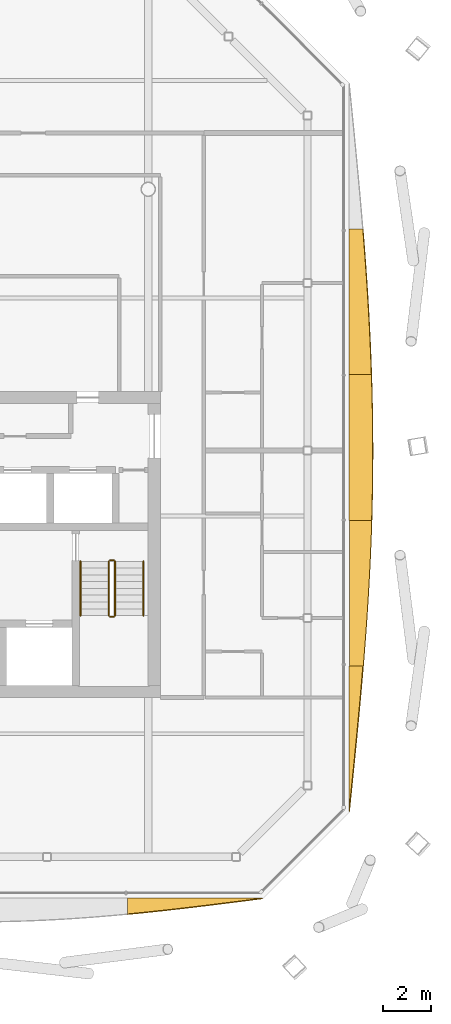
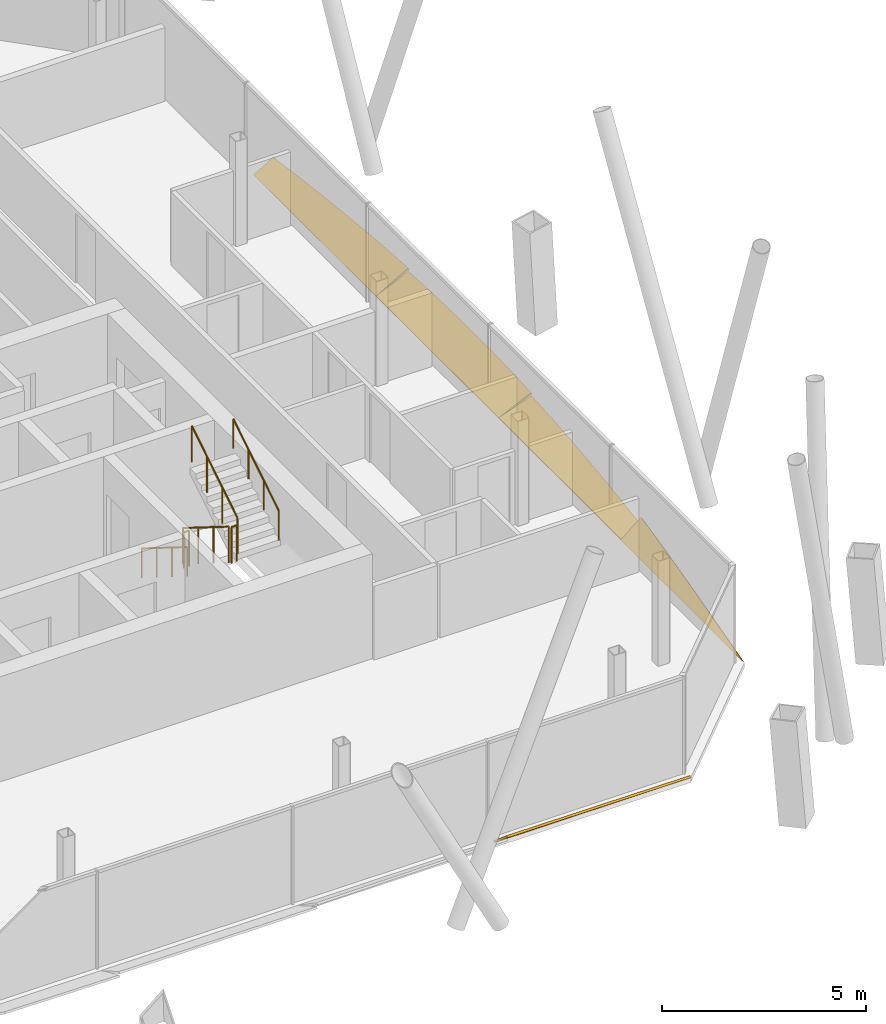
# One storey, part 18 of 19: 6 railings, 5 shading devices.
"""IFC4 building model written with IfcOpenShell, lengths in metres."""

from ifc_helpers import new_model, si_unit, direction, frame, origin, origin_2d, place, context, subcontext, project, spatial, polyline, circle, outline, extrude, material, layer, layer_set, type_object, element, save


model = new_model("IFC4")

# Units and contexts
model_context = context("Model", 3, precision=1e-05, world=origin(), true_north=direction((0.0, 1.0)))
body_context = subcontext(model_context, "Body", "Model", "MODEL_VIEW")
ifc_project = project(units=[si_unit("LENGTHUNIT", "METRE"), si_unit("AREAUNIT", "SQUARE_METRE"), si_unit("VOLUMEUNIT", "CUBIC_METRE"), si_unit("PLANEANGLEUNIT", "RADIAN"), si_unit("MASSUNIT", "GRAM", prefix="KILO")], contexts=[model_context])

# Site, building, storey
site_placement = place(None, origin())
site = spatial("IfcSite", under=ifc_project, at=site_placement, CompositionType="ELEMENT")
building_placement = place(site_placement, origin())
building = spatial("IfcBuilding", under=site, at=building_placement, Name="Tskaro Facet Tower", CompositionType="ELEMENT")
storey_placement = place(building_placement, frame((0.0, 0.0, 191.10009765625)))
storey = spatial("IfcBuildingStorey", under=building, at=storey_placement, Name="L48", CompositionType="ELEMENT", Elevation=191.10009765625)

# Shading devices
ifc_material_1 = material(Name="Bronze anodised aluminium 6063-T6", Category="aluminium")
ifc_layer = layer(ifc_material_1, 0.06005859375, Name="Bronze anodised aluminium 6063-T6")
ifc_layer_set = layer_set([ifc_layer], Name="Bronze anodised aluminium 6063-T6")
shading_device_type = type_object("IfcShadingDeviceType", Name="Bronze sun blade (FN1)", PredefinedType="USERDEFINED", material=ifc_layer_set)
shading_device_1_placement = place(storey_placement, frame((8.14794921875, -20.29150390625, 0.0458984375), z_axis=(-2.1428316e-05, 0.642835270174, 0.766004448395), x_axis=(0.99999999977, 1.3774877e-05, 1.6414185e-05)))
element("IfcShadingDevice", 1, at=shading_device_1_placement, inside=storey, type_object=shading_device_type, Name="Fin blade south 6", ObjectType="FIN", PredefinedType="USERDEFINED", context=body_context, shape_type="SweptSolid", body=[
    extrude(outline(polyline([(0.0, 0.0), (5.573974608095291, -9.442680282599087e-21), (4.877197266625718, -0.11609697558551081), (4.180664060484993, -0.2313490989473626), (3.4838867172235286, -0.34450742165208437), (2.7871093761775416, -0.45488403368068553), (2.090332031406576, -0.5612901278000119), (1.3935546856292769, -0.6631947361957411), (0.6967773436385716, -0.7591919682297339), (-2.580278858832556e-09, -0.8489679394926535), (0.0, 0.0)])), origin(), (0.0, 0.0, -1.0), 0.06005859375),
])
shading_device_2_placement = place(storey_placement, frame((17.29150390625, -16.721923828125, 0.0458984375), z_axis=(-0.642870519083, 9.93278e-07, 0.765974866228), x_axis=(6.38549e-07, 1.0, -7.60826e-07)))
element("IfcShadingDevice", 2, at=shading_device_2_placement, inside=storey, type_object=shading_device_type, Name="Fin blade east 1", ObjectType="FIN", PredefinedType="USERDEFINED", context=body_context, shape_type="SweptSolid", body=[
    extrude(outline(polyline([(0.0, 0.0), (6.019042968747031, 6.372909631838233e-22), (6.019042968752953, -0.7515648173418814), (5.3503417969015725, -0.6779180705643145), (4.6816406250070735, -0.600801705085512), (4.012695312414604, -0.520559677298372), (3.343994140656106, -0.4379099547609435), (2.675048828139931, -0.35282248270097427), (2.006347656212272, -0.26617217948683636), (1.3374023437790243, -0.17814605070110506), (0.6687011718745857, -0.08924500354700171), (0.0, 0.0)])), origin(), (0.0, 0.0, -1.0), 0.06005859375),
])
shading_device_3_placement = place(storey_placement, frame((17.3095703125, -10.702880859375, 0.056396484375), z_axis=(-0.341891856887, -5.382007e-06, 0.939739303299), x_axis=(-1.840065e-06, 0.999999999986, 5.057684e-06)))
element("IfcShadingDevice", 3, at=shading_device_3_placement, inside=storey, type_object=shading_device_type, Name="Fin blade east 2", ObjectType="FIN", PredefinedType="USERDEFINED", context=body_context, shape_type="SweptSolid", body=[
    extrude(outline(polyline([(0.0, 0.0), (6.019287109287823, -1.274633625155931e-21), (6.019287109682513, -0.9859529566504291), (5.350585937164045, -0.9620075613772087), (4.681640625147318, -0.9332022056781344), (4.012939452749071, -0.8999122769432786), (3.343994140403333, -0.8619918163234168), (2.675292968461626, -0.8198996809002451), (2.006591797533741, -0.7737193403653873), (1.337646484075874, -0.7235132838764435), (0.6689453125931419, -0.6697613490491334), (1.5153148782581533e-10, -0.6126094947326809), (0.0, 0.0)])), origin(), (0.0, 0.0, -1.0), 0.06005859375),
])
shading_device_4_placement = place(storey_placement, frame((17.3046875, -4.68359375, 0.05419921875), z_axis=(-0.422662965324, -4.36378e-06, 0.906286940061), x_axis=(-1.844408e-06, 0.99999999999, 3.954837e-06)))
element("IfcShadingDevice", 4, at=shading_device_4_placement, inside=storey, type_object=shading_device_type, Name="Fin blade east 3", ObjectType="FIN", PredefinedType="USERDEFINED", context=body_context, shape_type="SweptSolid", body=[
    extrude(outline(polyline([(0.0, 0.0), (6.0192871093176885, 0.0), (6.019287109694387, -1.0123912351075062), (5.350341796902002, -1.033910152324957), (4.681640624600394, -1.0502963989981529), (4.012695312054807, -1.0618744257875912), (3.34399414096553, -1.068422971233294), (2.82910156252503, -1.0697356569342222), (2.675292968776495, -1.0697356569342222), (2.006347656278534, -1.0656944106309179), (1.3376464842713482, -1.0565204937833583), (0.6687011719552375, -1.041992644931566), (1.2990181885591985e-10, -1.0223321255355189), (0.0, 0.0)])), origin(), (0.0, 0.0, -1.0), 0.06005859375),
])
shading_device_5_placement = place(storey_placement, frame((17.300048828125, 1.335693359375, 0.0517578125), z_axis=(-0.500117505696, -6.908967e-06, 0.865957551182), x_axis=(-3.455295e-06, 0.999999999976, 5.982872e-06)))
element("IfcShadingDevice", 5, at=shading_device_5_placement, inside=storey, type_object=shading_device_type, Name="Fin blade east 4", ObjectType="FIN", PredefinedType="USERDEFINED", context=body_context, shape_type="SweptSolid", body=[
    extrude(outline(polyline([(0.0, 0.0), (6.019042968606344, 0.0), (6.019042968464547, -0.651249681614246), (5.3503417975925185, -0.7125113013237485), (4.681396484533135, -0.7702591440166271), (4.012695311997045, -0.8246153086932985), (3.343994140429328, -0.8748234501000236), (2.6750488277443276, -0.9207614692363857), (2.006347656652693, -0.9625514651028013), (1.3374023438266902, -0.9997378242806629), (0.6687011713598856, -1.0321091313521964), (-5.291370367561063e-10, -1.0594539708996276), (0.0, 0.0)])), origin(), (0.0, 0.0, -1.0), 0.06005859375),
])

# Railings
ifc_material_2 = material(Name="Stainless steel", Category="steel")
railing_type_1 = type_object("IfcRailingType", Name="RL-GUARD-1100", PredefinedType="GUARDRAIL", material=ifc_material_2)
railing_1_placement = place(storey_placement, frame((7.375, -6.375, 0.1748046875)))
element("IfcRailing", 6, at=railing_1_placement, inside=storey, type_object=railing_type_1, Name="L48 ST-2 stair guard 1", PredefinedType="GUARDRAIL", context=body_context, shape_type="SweptSolid", body=[
    extrude(circle(Radius=0.02392578125, at=origin_2d()), frame((0.0, 0.0, 1.076171875), z_axis=(0.0, -0.847972341737, 0.530040477369), x_axis=(1.0, 0.0, 0.0)), (0.0, 0.0, 1.0), 2.6416015625),
    extrude(circle(Radius=0.02099609375, at=origin_2d()), origin(), (0.0, 0.0, 1.0), 1.052001953125),
    extrude(circle(Radius=0.02099609375, at=origin_2d()), frame((0.0, -0.74658203125, 0.466796875)), (0.0, 0.0, 1.0), 1.052001953125),
    extrude(circle(Radius=0.02099609375, at=origin_2d()), frame((0.0, -1.493408203125, 0.933349609375)), (0.0, 0.0, 1.0), 1.052001953125),
    extrude(circle(Radius=0.02099609375, at=origin_2d()), frame((0.0, -2.239990234375, 1.400146484375)), (0.0, 0.0, 1.0), 1.052001953125),
])
railing_2_placement = place(storey_placement, frame((7.425048828125, -8.6650390625, 1.574951171875)))
element("IfcRailing", 7, at=railing_2_placement, inside=storey, type_object=railing_type_1, Name="L48 ST-2 stair guard 2", PredefinedType="GUARDRAIL", context=body_context, shape_type="SweptSolid", body=[
    extrude(circle(Radius=0.02392578125, at=origin_2d()), frame((0.0, 0.0, 1.076171875), z_axis=(1.0, 0.0, 0.0), x_axis=(0.0, 1.0, 0.0)), (0.0, 0.0, 1.0), 0.14990234375),
    extrude(circle(Radius=0.02099609375, at=origin_2d()), origin(), (0.0, 0.0, 1.0), 1.052001953125),
    extrude(circle(Radius=0.02099609375, at=origin_2d()), frame((0.14990234375, 0.0, 0.0)), (0.0, 0.0, 1.0), 1.052001953125),
])
railing_3_placement = place(storey_placement, frame((7.625, -8.614990234375, 1.75)))
element("IfcRailing", 8, at=railing_3_placement, inside=storey, type_object=railing_type_1, Name="L48 ST-2 stair guard 3", PredefinedType="GUARDRAIL", context=body_context, shape_type="SweptSolid", body=[
    extrude(circle(Radius=0.02392578125, at=origin_2d()), frame((0.0, 0.0, 1.076171875), z_axis=(0.0, 0.848013881152, 0.529974015752), x_axis=(-1.0, 0.0, 0.0)), (0.0, 0.0, 1.0), 2.641357421875),
    extrude(circle(Radius=0.02099609375, at=origin_2d()), origin(), (0.0, 0.0, 1.0), 1.052001953125),
    extrude(circle(Radius=0.02099609375, at=origin_2d()), frame((0.0, 0.74658203125, 0.466552734375)), (0.0, 0.0, 1.0), 1.052001953125),
    extrude(circle(Radius=0.02099609375, at=origin_2d()), frame((0.0, 1.493408203125, 0.933349609375)), (0.0, 0.0, 1.0), 1.052001953125),
    extrude(circle(Radius=0.02099609375, at=origin_2d()), frame((0.0, 2.239990234375, 1.39990234375)), (0.0, 0.0, 1.0), 1.052001953125),
])
railing_4_placement = place(storey_placement, frame((7.425048828125, -6.324951171875, 0.0)))
element("IfcRailing", 9, at=railing_4_placement, inside=storey, type_object=railing_type_1, Name="L48 ST-2 stair guard 4", PredefinedType="GUARDRAIL", context=body_context, shape_type="SweptSolid", body=[
    extrude(circle(Radius=0.02392578125, at=origin_2d()), frame((0.0, 0.0, 1.076171875), z_axis=(1.0, 0.0, 0.0), x_axis=(0.0, 1.0, 0.0)), (0.0, 0.0, 1.0), 0.14990234375),
    extrude(circle(Radius=0.02099609375, at=origin_2d()), origin(), (0.0, 0.0, 1.0), 1.052001953125),
    extrude(circle(Radius=0.02099609375, at=origin_2d()), frame((0.14990234375, 0.0, 0.0)), (0.0, 0.0, 1.0), 1.052001953125),
])
railing_type_2 = type_object("IfcRailingType", Name="RL-HANDRAIL-900", PredefinedType="HANDRAIL", material=ifc_material_2)
railing_5_placement = place(storey_placement, frame((6.199951171875, -6.375, 0.1748046875)))
element("IfcRailing", 10, at=railing_5_placement, inside=storey, type_object=railing_type_2, Name="L48 ST-2 stair handrail 1", PredefinedType="HANDRAIL", context=body_context, shape_type="SweptSolid", body=[
    extrude(circle(Radius=0.02392578125, at=origin_2d()), frame((0.0, 0.0, 0.8759765625), z_axis=(0.0, -0.847972341737, 0.530040477369), x_axis=(1.0, 0.0, 0.0)), (0.0, 0.0, 1.0), 2.6416015625),
    extrude(circle(Radius=0.02099609375, at=origin_2d()), origin(), (0.0, 0.0, 1.0), 0.851806640625),
    extrude(circle(Radius=0.02099609375, at=origin_2d()), frame((0.0, -0.74658203125, 0.466796875)), (0.0, 0.0, 1.0), 0.851806640625),
    extrude(circle(Radius=0.02099609375, at=origin_2d()), frame((0.0, -1.493408203125, 0.933349609375)), (0.0, 0.0, 1.0), 0.851806640625),
    extrude(circle(Radius=0.02099609375, at=origin_2d()), frame((0.0, -2.239990234375, 1.400146484375)), (0.0, 0.0, 1.0), 0.851806640625),
])
railing_6_placement = place(storey_placement, frame((8.800048828125, -8.614990234375, 1.75)))
element("IfcRailing", 11, at=railing_6_placement, inside=storey, type_object=railing_type_2, Name="L48 ST-2 stair handrail 2", PredefinedType="HANDRAIL", context=body_context, shape_type="SweptSolid", body=[
    extrude(circle(Radius=0.02392578125, at=origin_2d()), frame((0.0, 0.0, 0.8759765625), z_axis=(0.0, 0.848013881152, 0.529974015752), x_axis=(-1.0, 0.0, 0.0)), (0.0, 0.0, 1.0), 2.641357421875),
    extrude(circle(Radius=0.02099609375, at=origin_2d()), origin(), (0.0, 0.0, 1.0), 0.851806640625),
    extrude(circle(Radius=0.02099609375, at=origin_2d()), frame((0.0, 0.74658203125, 0.466552734375)), (0.0, 0.0, 1.0), 0.851806640625),
    extrude(circle(Radius=0.02099609375, at=origin_2d()), frame((0.0, 1.493408203125, 0.933349609375)), (0.0, 0.0, 1.0), 0.851806640625),
    extrude(circle(Radius=0.02099609375, at=origin_2d()), frame((0.0, 2.239990234375, 1.39990234375)), (0.0, 0.0, 1.0), 0.851806640625),
])

save(model, "model.ifc")
